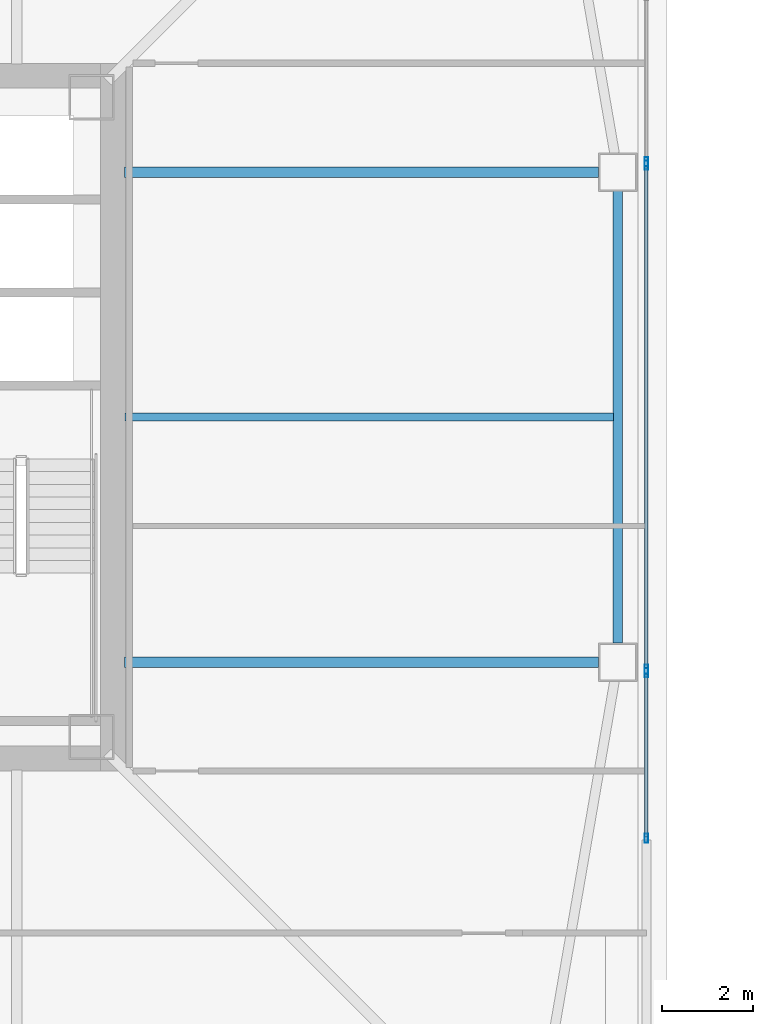
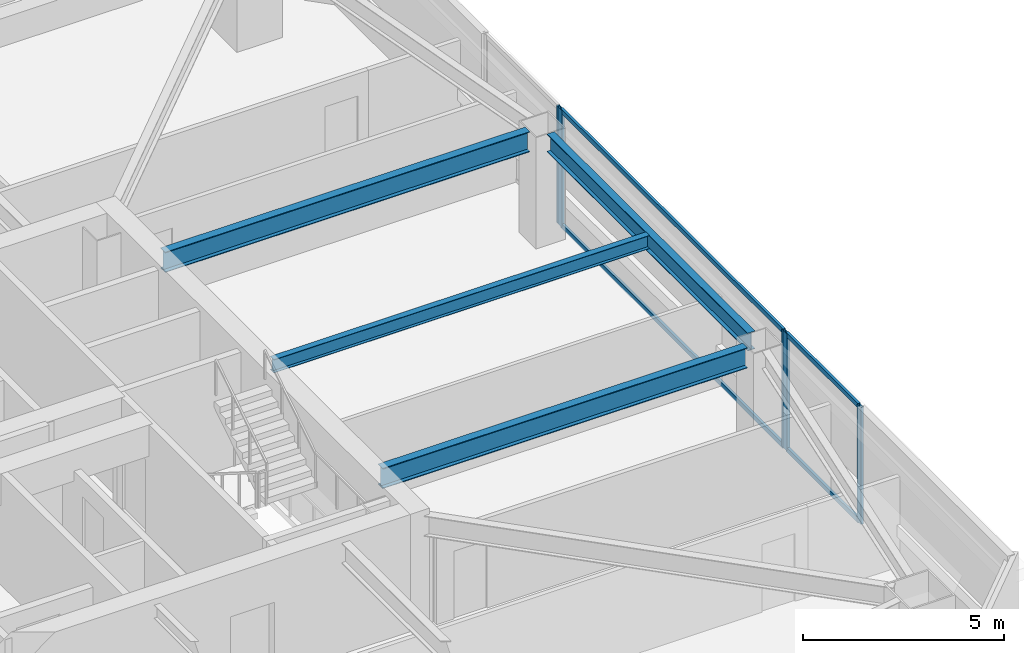
# One storey, part 10 of 41: 9 members, 4 beams, 3 elements without a shape of their own.
"""IFC4 building model written with IfcOpenShell, lengths in metres."""

from ifc_helpers import new_model, si_unit, direction, frame, origin, origin_2d, place, context, subcontext, project, spatial, hollow_rectangle, i_section, extrude, material, material_profile, profile_set, type_object, element, aggregate, save


model = new_model("IFC4")

# Units and contexts
model_context = context("Model", 3, precision=1e-05, world=origin(), true_north=direction((0.0, 1.0)))
body_context = subcontext(model_context, "Body", "Model", "MODEL_VIEW")
ifc_project = project(units=[si_unit("LENGTHUNIT", "METRE"), si_unit("AREAUNIT", "SQUARE_METRE"), si_unit("VOLUMEUNIT", "CUBIC_METRE"), si_unit("PLANEANGLEUNIT", "RADIAN"), si_unit("MASSUNIT", "GRAM", prefix="KILO")], contexts=[model_context])

# Site, building, storey
site_placement = place(None, origin())
site = spatial("IfcSite", under=ifc_project, at=site_placement, CompositionType="ELEMENT")
building_placement = place(site_placement, origin())
building = spatial("IfcBuilding", under=site, at=building_placement, Name="Tashvorn Skyway Center", CompositionType="ELEMENT")
storey_placement = place(building_placement, frame((0.0, 0.0, 146.35009765625)))
storey = spatial("IfcBuildingStorey", under=building, at=storey_placement, Name="L39", CompositionType="ELEMENT", Elevation=146.35009765625)

# Beams
ifc_material_1 = material(Name="Steel ASTM A992 Grade 50", Category="steel")
ifc_material_profile_1 = material_profile(ifc_material_1, i_section(OverallWidth=0.22998046875, OverallDepth=0.616943359375, WebThickness=0.01318359375, FlangeThickness=0.022216796875, at=origin_2d()), Name="W24X94")
ifc_profile_set_1 = profile_set([ifc_material_profile_1], Name="Steel ASTM A992 Grade 50")
beam_type_1 = type_object("IfcBeamType", Name="BM-BEAM-W24X94", PredefinedType="BEAM", material=ifc_profile_set_1)
for number, where, z_axis, x_axis, name in (
    (1, (60.22998046875, 26.60009765625, 3.0615234375), (-1.0, 0.0, 0.0), (0.0, -1.0, 0.0), "Tower 1 L39 Primary Floor Girder FC-E1"),
    (2, (60.22998046875, 37.39990234375, 3.0615234375), (-1.0, 0.0, 0.0), (0.0, -1.0, 0.0), "Tower 1 L39 Primary Floor Girder FC-E2"),
):
    element("IfcBeam", number, at=place(storey_placement, frame(where, z_axis=z_axis, x_axis=x_axis)), inside=storey, type_object=beam_type_1, Name=name, PredefinedType="BEAM", context=body_context, shape_type="SweptSolid", body=[
        extrude(i_section(OverallWidth=0.22998046875, OverallDepth=0.616943359375, WebThickness=0.01318359375, FlangeThickness=0.022216796875, at=origin_2d()), origin(), (0.0, 0.0, 1.0), 10.449951171875),
    ])
ifc_material_profile_2 = material_profile(ifc_material_1, i_section(OverallWidth=0.177978515625, OverallDepth=0.406005859375, WebThickness=0.0078125, FlangeThickness=0.0126953125, at=origin_2d()), Name="W16X40")
ifc_profile_set_2 = profile_set([ifc_material_profile_2], Name="Steel ASTM A992 Grade 50")
beam_type_2 = type_object("IfcBeamType", Name="BM-JOIST-W16X40", PredefinedType="JOIST", material=ifc_profile_set_2)
beam_1_placement = place(storey_placement, frame((49.7900390625, 32.0, 3.1669921875), z_axis=(1.0, 0.0, 0.0), x_axis=(0.0, 1.0, 0.0)))
element("IfcBeam", 3, at=beam_1_placement, inside=storey, type_object=beam_type_2, Name="Tower 1 L39 Secondary Composite Joist JE", PredefinedType="JOIST", context=body_context, shape_type="SweptSolid", body=[
    extrude(i_section(OverallWidth=0.177978515625, OverallDepth=0.406005859375, WebThickness=0.0078125, FlangeThickness=0.0126953125, at=origin_2d()), origin(), (0.0, 0.0, 1.0), 10.762451171875),
])
ifc_material_profile_3 = material_profile(ifc_material_1, i_section(OverallWidth=0.2109375, OverallDepth=0.5390625, WebThickness=0.01171875, FlangeThickness=0.018798828125, at=origin_2d()), Name="W21X73")
ifc_profile_set_3 = profile_set([ifc_material_profile_3], Name="Steel ASTM A992 Grade 50")
beam_type_3 = type_object("IfcBeamType", Name="BM-SPANDREL-W21X73", PredefinedType="SPANDREL", material=ifc_profile_set_3)
beam_2_placement = place(storey_placement, frame((60.64990234375, 27.02001953125, 3.100341796875), z_axis=(0.0, 1.0, 0.0), x_axis=(-1.0, 0.0, 0.0)))
element("IfcBeam", 4, at=beam_2_placement, inside=storey, type_object=beam_type_3, Name="Tower 1 L39 Spandrel Beam 05", PredefinedType="SPANDREL", context=body_context, shape_type="SweptSolid", body=[
    extrude(i_section(OverallWidth=0.2109375, OverallDepth=0.5390625, WebThickness=0.01171875, FlangeThickness=0.018798828125, at=origin_2d()), origin(), (0.0, 0.0, 1.0), 9.9599609375),
])

# Curtain wall, member
ifc_material_2 = material(Name="Thermally broken bronze-anodized aluminium 6063-T6", Category="aluminium")
curtain_wall_type = type_object("IfcCurtainWallType", Name="CW-CW-Z3", PredefinedType="NOTDEFINED", material=ifc_material_2)
curtain_wall_1_placement = place(storey_placement, origin())
curtain_wall_1 = element("IfcCurtainWall", 5, at=curtain_wall_1_placement, inside=storey, type_object=curtain_wall_type, Name="Tower 1 L39 East Unitised Curtain Wall Glazing Group 1", PredefinedType="NOTDEFINED")
ifc_material_profile_4 = material_profile(ifc_material_2, hollow_rectangle(XDim=0.074951171875, YDim=0.199951171875, WallThickness=0.00439453125, at=origin_2d()), Name="ALU-MULL-75x200")
ifc_profile_set_4 = profile_set([ifc_material_profile_4], Name="Thermally broken bronze-anodized aluminium 6063-T6")
member_type_1 = type_object("IfcMemberType", Name="CWM-CW-Z3", PredefinedType="MULLION", material=ifc_profile_set_4)
member_1_placement = place(storey_placement, frame((61.280029296875, 37.630859375, 0.0), z_axis=(0.0, 0.0, 1.0), x_axis=(1.0, 0.0, 0.0)))
member_1 = element("IfcMember", 6, at=member_1_placement, type_object=member_type_1, Name="CW-Z3 mullion 2", PredefinedType="MULLION", context=body_context, shape_type="SweptSolid", body=[
    extrude(hollow_rectangle(XDim=0.074951171875, YDim=0.199951171875, WallThickness=0.00439453125, at=origin_2d()), origin(), (0.0, 0.0, 1.0), 3.5498046875),
])
aggregate(curtain_wall_1, [member_1])

# Curtain wall, members
curtain_wall_2_placement = place(storey_placement, origin())
curtain_wall_2 = element("IfcCurtainWall", 7, at=curtain_wall_2_placement, inside=storey, type_object=curtain_wall_type, Name="Tower 1 L39 East Unitised Curtain Wall Glazing Group 2", PredefinedType="NOTDEFINED")
member_2_placement = place(storey_placement, frame((61.280029296875, 37.555908203125, 0.0), z_axis=(0.0, 0.0, 1.0), x_axis=(1.0, 0.0, 0.0)))
member_2 = element("IfcMember", 8, at=member_2_placement, type_object=member_type_1, Name="CW-Z3 mullion 1", PredefinedType="MULLION", context=body_context, shape_type="SweptSolid", body=[
    extrude(hollow_rectangle(XDim=0.074951171875, YDim=0.199951171875, WallThickness=0.00439453125, at=origin_2d()), origin(), (0.0, 0.0, 1.0), 3.5498046875),
])
member_3_placement = place(storey_placement, frame((61.280029296875, 26.444091796875, 0.0), z_axis=(0.0, 0.0, 1.0), x_axis=(1.0, 0.0, 0.0)))
member_3 = element("IfcMember", 9, at=member_3_placement, type_object=member_type_1, Name="CW-Z3 mullion 2", PredefinedType="MULLION", context=body_context, shape_type="SweptSolid", body=[
    extrude(hollow_rectangle(XDim=0.074951171875, YDim=0.199951171875, WallThickness=0.00439453125, at=origin_2d()), origin(), (0.0, 0.0, 1.0), 3.5498046875),
])

curtain_wall_3_placement = place(storey_placement, origin())
curtain_wall_3 = element("IfcCurtainWall", 10, at=curtain_wall_3_placement, inside=storey, type_object=curtain_wall_type, Name="Tower 1 L39 East Unitised Curtain Wall Glazing Group 3", PredefinedType="NOTDEFINED")
member_4_placement = place(storey_placement, frame((61.280029296875, 26.369140625, 0.0), z_axis=(0.0, 0.0, 1.0), x_axis=(1.0, 0.0, 0.0)))
member_4 = element("IfcMember", 11, at=member_4_placement, type_object=member_type_1, Name="CW-Z3 mullion 1", PredefinedType="MULLION", context=body_context, shape_type="SweptSolid", body=[
    extrude(hollow_rectangle(XDim=0.074951171875, YDim=0.199951171875, WallThickness=0.00439453125, at=origin_2d()), origin(), (0.0, 0.0, 1.0), 3.5498046875),
])
member_5_placement = place(storey_placement, frame((61.280029296875, 22.71533203125, 0.0), z_axis=(0.0, 0.0, 1.0), x_axis=(1.0, 0.0, 0.0)))
member_5 = element("IfcMember", 12, at=member_5_placement, type_object=member_type_1, Name="CW-Z3 mullion 2", PredefinedType="MULLION", context=body_context, shape_type="SweptSolid", body=[
    extrude(hollow_rectangle(XDim=0.074951171875, YDim=0.199951171875, WallThickness=0.00439453125, at=origin_2d()), origin(), (0.0, 0.0, 1.0), 3.5498046875),
])

# Member
ifc_material_profile_5 = material_profile(ifc_material_2, hollow_rectangle(XDim=0.074951171875, YDim=0.139892578125, WallThickness=0.004150390625, at=origin_2d()), Name="ALU-TRAN-75x140")
ifc_profile_set_5 = profile_set([ifc_material_profile_5], Name="Thermally broken bronze-anodized aluminium 6063-T6")
member_type_2 = type_object("IfcMemberType", Name="CWT-CW-Z3", PredefinedType="USERDEFINED", material=ifc_profile_set_5)
member_6_placement = place(storey_placement, frame((61.280029296875, 37.518310546875, 0.037353515625), z_axis=(0.0, -1.0, 0.0), x_axis=(1.0, 0.0, 0.0)))
member_6 = element("IfcMember", 13, at=member_6_placement, type_object=member_type_2, Name="CW-Z3 transom 1.1", ObjectType="TRANSOM", PredefinedType="USERDEFINED", context=body_context, shape_type="SweptSolid", body=[
    extrude(hollow_rectangle(XDim=0.074951171875, YDim=0.139892578125, WallThickness=0.004150390625, at=origin_2d()), origin(), (0.0, 0.0, 1.0), 11.03662109375),
])

member_7_placement = place(storey_placement, frame((61.280029296875, 37.518310546875, 3.512451171875), z_axis=(0.0, -1.0, 0.0), x_axis=(1.0, 0.0, 0.0)))
member_7 = element("IfcMember", 14, at=member_7_placement, type_object=member_type_2, Name="CW-Z3 transom 1.2", ObjectType="TRANSOM", PredefinedType="USERDEFINED", context=body_context, shape_type="SweptSolid", body=[
    extrude(hollow_rectangle(XDim=0.074951171875, YDim=0.139892578125, WallThickness=0.004150390625, at=origin_2d()), origin(), (0.0, 0.0, 1.0), 11.03662109375),
])

aggregate(curtain_wall_2, [member_2, member_3, member_6, member_7])

member_8_placement = place(storey_placement, frame((61.280029296875, 26.331787109375, 0.037353515625), z_axis=(0.0, -1.0, 0.0), x_axis=(1.0, 0.0, 0.0)))
member_8 = element("IfcMember", 15, at=member_8_placement, type_object=member_type_2, Name="CW-Z3 transom 1.1", ObjectType="TRANSOM", PredefinedType="USERDEFINED", context=body_context, shape_type="SweptSolid", body=[
    extrude(hollow_rectangle(XDim=0.074951171875, YDim=0.139892578125, WallThickness=0.004150390625, at=origin_2d()), origin(), (0.0, 0.0, 1.0), 3.5791015625),
])

member_9_placement = place(storey_placement, frame((61.280029296875, 26.331787109375, 3.512451171875), z_axis=(0.0, -1.0, 0.0), x_axis=(1.0, 0.0, 0.0)))
member_9 = element("IfcMember", 16, at=member_9_placement, type_object=member_type_2, Name="CW-Z3 transom 1.2", ObjectType="TRANSOM", PredefinedType="USERDEFINED", context=body_context, shape_type="SweptSolid", body=[
    extrude(hollow_rectangle(XDim=0.074951171875, YDim=0.139892578125, WallThickness=0.004150390625, at=origin_2d()), origin(), (0.0, 0.0, 1.0), 3.5791015625),
])

aggregate(curtain_wall_3, [member_4, member_5, member_8, member_9])

save(model, "model.ifc")
